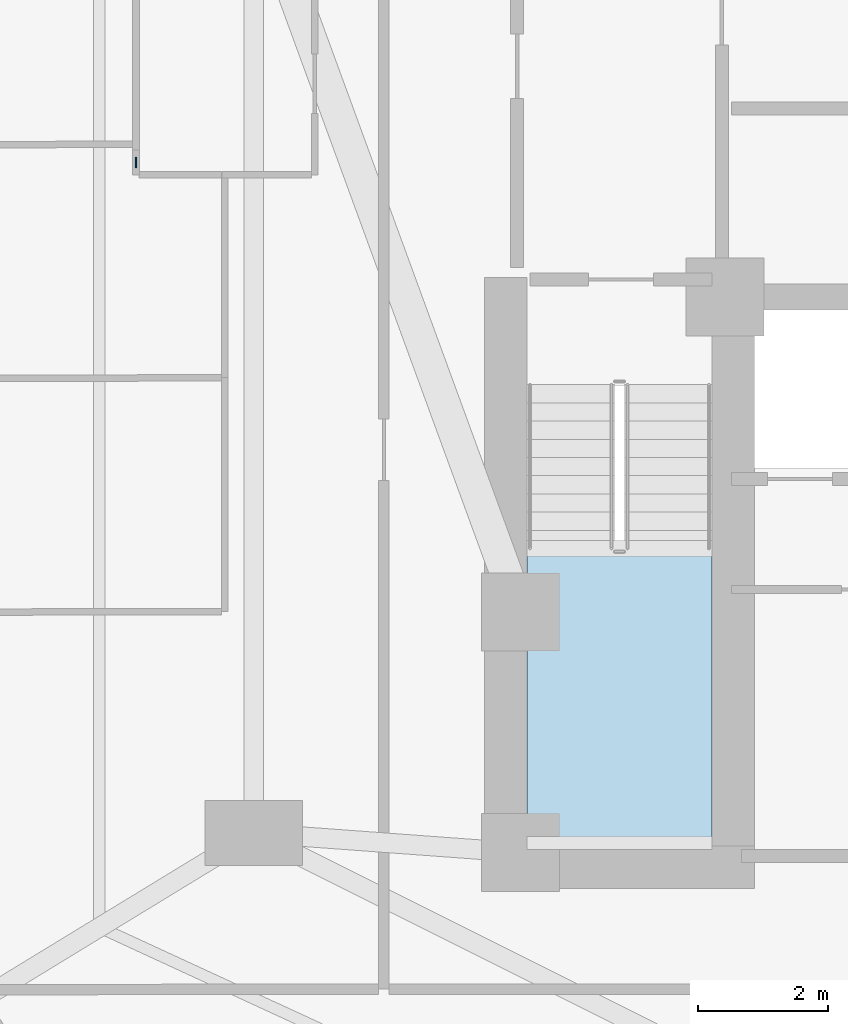
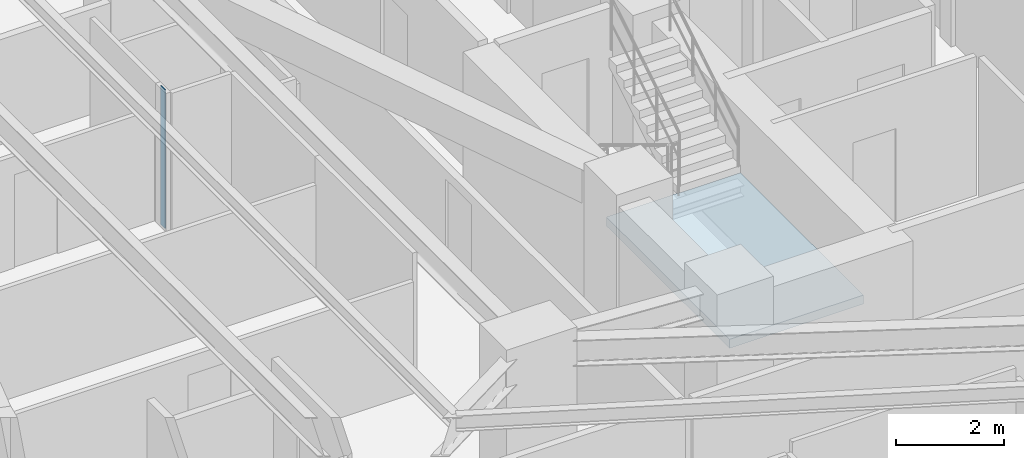
# One storey, part 2 of 12: 1 plate, 1 slab, 1 element without a shape of its own.
"""IFC4 building model written with IfcOpenShell, lengths in metres."""

from ifc_helpers import new_model, si_unit, direction, frame, origin, origin_2d, place, context, subcontext, project, spatial, polyline, rectangle, outline, extrude, material, layer, layer_set, type_object, element, aggregate, save


model = new_model("IFC4")

# Units and contexts
model_context = context("Model", 3, precision=1e-05, world=origin(), true_north=direction((0.0, 1.0)))
body_context = subcontext(model_context, "Body", "Model", "MODEL_VIEW")
ifc_project = project(units=[si_unit("LENGTHUNIT", "METRE"), si_unit("AREAUNIT", "SQUARE_METRE"), si_unit("VOLUMEUNIT", "CUBIC_METRE"), si_unit("PLANEANGLEUNIT", "RADIAN"), si_unit("MASSUNIT", "GRAM", prefix="KILO")], contexts=[model_context])

# Site, building, storey
site_placement = place(None, origin())
site = spatial("IfcSite", under=ifc_project, at=site_placement, CompositionType="ELEMENT")
building_placement = place(site_placement, origin())
building = spatial("IfcBuilding", under=site, at=building_placement, Name="Miruveldt Soraemaru", CompositionType="ELEMENT")
storey_placement = place(building_placement, frame((0.0, 0.0, 56.39990234375)))
storey = spatial("IfcBuildingStorey", under=building, at=storey_placement, Name="L15", CompositionType="ELEMENT", Elevation=56.39990234375)

# Plate
ifc_material_1 = material(Name="Anodised aluminium EN AW-6063 T6", Category="aluminium")
ifc_layer_1 = layer(ifc_material_1, 0.02001953125, Name="Anodised aluminium EN AW-6063 T6", Category="aluminium")
ifc_layer_set_1 = layer_set([ifc_layer_1], Name="Anodised aluminium EN AW-6063 T6")
plate_type = type_object("IfcPlateType", Name="PLT-PART-TRIM", PredefinedType="SHEET", material=ifc_layer_set_1)
plate_placement = place(storey_placement, frame((29.5849609375, 46.12158203125, 0.0), z_axis=(0.0, 0.0, 1.0), x_axis=(0.0, -1.0, 0.0)))
element("IfcPlate", 1, at=plate_placement, inside=storey, type_object=plate_type, Name="L15 Partition Step Corner Trim Plate 059", PredefinedType="SHEET", context=body_context, shape_type="SweptSolid", body=[
    extrude(rectangle(XDim=0.159912109375, YDim=0.02001953125, at=origin_2d()), origin(), (0.0, 0.0, 1.0), 3.125),
])

# Stair, slab
ifc_material_2 = material(Name="Concrete C40/50 (40 MPa)", Category="concrete")
stair_type = type_object("IfcStairType", Name="STAIR-DL-340", PredefinedType="HALF_TURN_STAIR", material=ifc_material_2)
stair_placement = place(storey_placement, origin())
stair = element("IfcStair", 2, at=stair_placement, inside=storey, type_object=stair_type, Name="L15 Protected Exit Stair ST-1", PredefinedType="HALF_TURN_STAIR")
ifc_layer_2 = layer(ifc_material_2, 0.199951171875, Name="Concrete C40/50 (40 MPa)", Category="concrete")
ifc_layer_set_2 = layer_set([ifc_layer_2], Name="Concrete C40/50 (40 MPa)")
slab_type = type_object("IfcSlabType", Name="SLAB-LAND-200", PredefinedType="LANDING", material=ifc_layer_set_2)
slab_placement = place(storey_placement, frame((0.0, 0.0, 1.5)))
slab = element("IfcSlab", 3, at=slab_placement, type_object=slab_type, Name="ST-1 landing 1", PredefinedType="LANDING", context=body_context, shape_type="SweptSolid", body=[
    extrude(outline(polyline([(35.60009765625, 40.197998046875), (35.60009765625, 35.64990234375), (38.449951171875, 35.64990234375), (38.449951171875, 40.197998046875), (35.60009765625, 40.197998046875)])), origin(), (0.0, 0.0, 1.0), 0.2001953125),
])
aggregate(stair, [slab])

save(model, "model.ifc")
